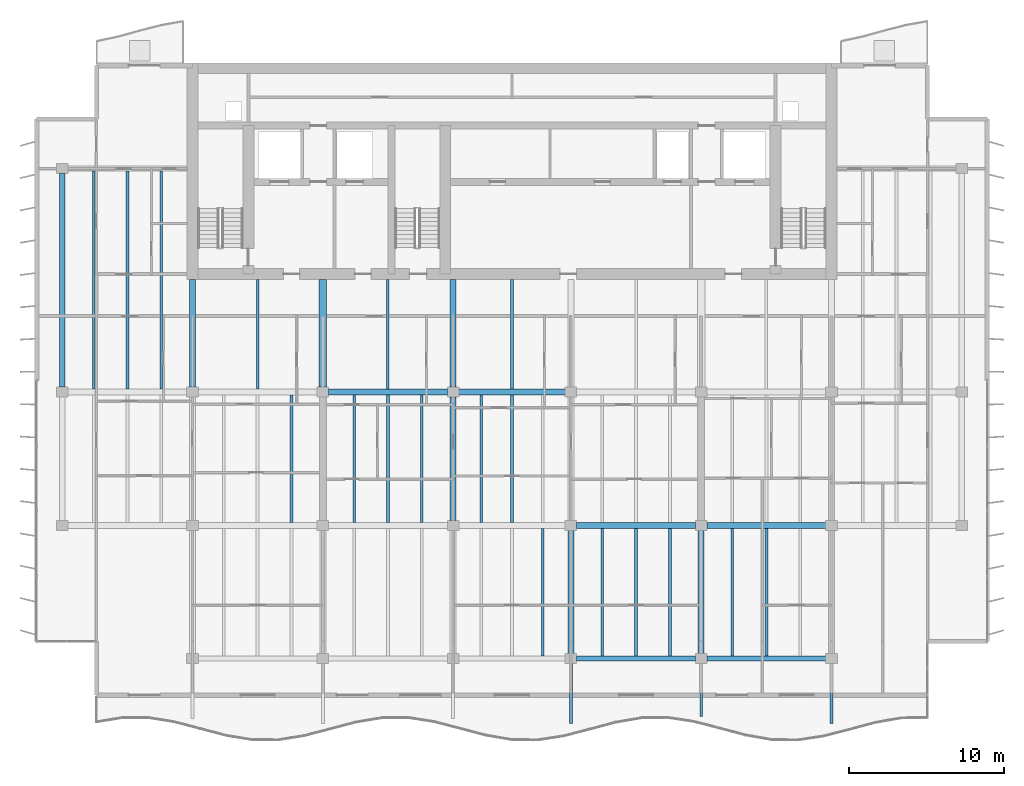
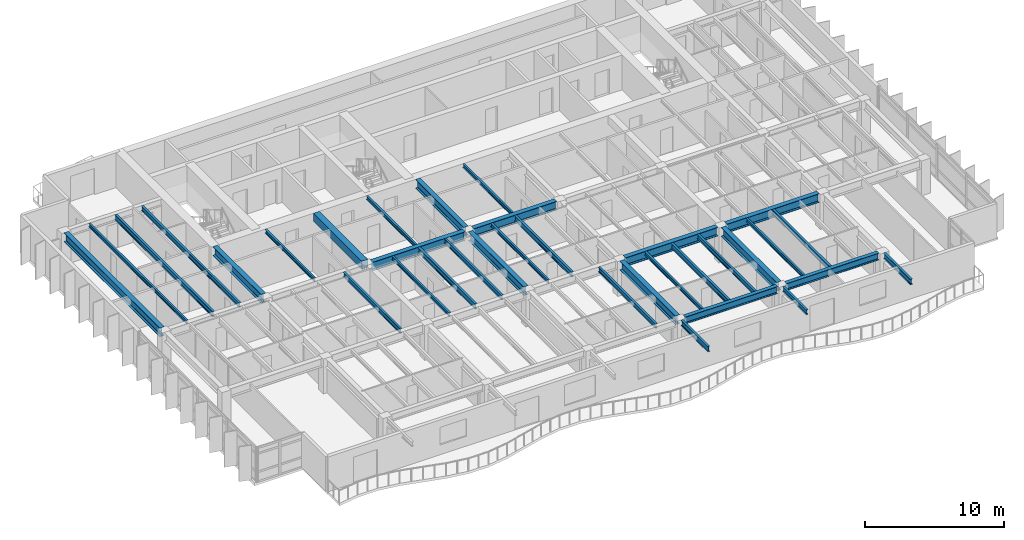
# One storey, part 3 of 17: 34 beams.
"""IFC4 building model written with IfcOpenShell, lengths in metres."""

from ifc_helpers import new_model, si_unit, direction, frame, origin, origin_2d, place, context, subcontext, project, spatial, rectangle, i_section, extrude, material, material_profile, profile_set, type_object, element, save


model = new_model("IFC4")

# Units and contexts
model_context = context("Model", 3, precision=1e-05, world=origin(), true_north=direction((0.0, 1.0)))
body_context = subcontext(model_context, "Body", "Model", "MODEL_VIEW")
ifc_project = project(units=[si_unit("LENGTHUNIT", "METRE"), si_unit("AREAUNIT", "SQUARE_METRE"), si_unit("VOLUMEUNIT", "CUBIC_METRE"), si_unit("PLANEANGLEUNIT", "RADIAN"), si_unit("MASSUNIT", "GRAM", prefix="KILO")], contexts=[model_context])

# Site, building, storey
site_placement = place(None, origin())
site = spatial("IfcSite", under=ifc_project, at=site_placement, CompositionType="ELEMENT")
building_placement = place(site_placement, origin())
building = spatial("IfcBuilding", under=site, at=building_placement, Name="Caelmar Bay Residences", CompositionType="ELEMENT")
storey_placement = place(building_placement, frame((0.0, 0.0, 259.5)))
storey = spatial("IfcBuildingStorey", under=building, at=storey_placement, Name="L73", CompositionType="ELEMENT", Elevation=259.5)

# Beams
ifc_material_1 = material(Name="Steel ASTM A992 Grade 50", Category="steel")
ifc_material_profile_1 = material_profile(ifc_material_1, i_section(OverallWidth=0.177978515625, OverallDepth=0.406005859375, WebThickness=0.0078125, FlangeThickness=0.0126953125, FilletRadius=0.0087890625, at=origin_2d()), Name="W16X40")
ifc_profile_set_1 = profile_set([ifc_material_profile_1], Name="Steel ASTM A992 Grade 50")
beam_type_1 = type_object("IfcBeamType", Name="BM-BAL-W16X40", PredefinedType="JOIST", material=ifc_profile_set_1)
for number, where, z_axis, x_axis, name in (
    (1, (40.8759765625, 12.362548828125, 2.846923828125), (0.0, 1.0, 0.0), (-1.0, 0.0, 0.0), "L73 Composite Floor Joist 9"),
    (2, (49.083984375, 12.362548828125, 2.846923828125), (0.0, 1.0, 0.0), (-1.0, 0.0, 0.0), "L73 Composite Floor Joist 12"),
):
    element("IfcBeam", number, at=place(storey_placement, frame(where, z_axis=z_axis, x_axis=x_axis)), inside=storey, type_object=beam_type_1, Name=name, PredefinedType="JOIST", context=body_context, shape_type="SweptSolid", body=[
        extrude(i_section(OverallWidth=0.177978515625, OverallDepth=0.406005859375, WebThickness=0.0078125, FlangeThickness=0.0126953125, FilletRadius=0.0087890625, at=origin_2d()), origin(), (0.0, 0.0, 1.0), 8.2470703125),
    ])
for number, where, z_axis, x_axis, name in (
    (3, (24.68408203125, 20.990478515625, 2.846923828125), (0.0, 1.0, 0.0), (-1.0, 0.0, 0.0), "L73 Composite Floor Joist 21"),
    (4, (33.083984375, 20.990478515625, 2.846923828125), (0.0, 1.0, 0.0), (-1.0, 0.0, 0.0), "L73 Composite Floor Joist 24"),
):
    element("IfcBeam", number, at=place(storey_placement, frame(where, z_axis=z_axis, x_axis=x_axis)), inside=storey, type_object=beam_type_1, Name=name, PredefinedType="JOIST", context=body_context, shape_type="SweptSolid", body=[
        extrude(i_section(OverallWidth=0.177978515625, OverallDepth=0.406005859375, WebThickness=0.0078125, FlangeThickness=0.0126953125, FilletRadius=0.0087890625, at=origin_2d()), origin(), (0.0, 0.0, 1.0), 8.218994140625),
    ])
beam_1_placement = place(storey_placement, frame((16.283935546875, 29.590576171875, 2.846923828125), z_axis=(0.0, 1.0, 0.0), x_axis=(-1.0, 0.0, 0.0)))
element("IfcBeam", 5, at=beam_1_placement, inside=storey, type_object=beam_type_1, Name="L73 Composite Floor Joist 44", PredefinedType="JOIST", context=body_context, shape_type="SweptSolid", body=[
    extrude(i_section(OverallWidth=0.177978515625, OverallDepth=0.406005859375, WebThickness=0.0078125, FlangeThickness=0.0126953125, FilletRadius=0.0087890625, at=origin_2d()), origin(), (0.0, 0.0, 1.0), 14.046875),
])
beam_2_placement = place(storey_placement, frame((51.10009765625, 11.885009765625, 2.846923828125), z_axis=(0.0, -1.0, 0.0), x_axis=(1.0, 0.0, 0.0)))
element("IfcBeam", 6, at=beam_2_placement, inside=storey, type_object=beam_type_1, Name="L74 South Balcony Cantilever Bracket 5", PredefinedType="JOIST", context=body_context, shape_type="SweptSolid", body=[
    extrude(i_section(OverallWidth=0.177978515625, OverallDepth=0.406005859375, WebThickness=0.0078125, FlangeThickness=0.0126953125, FilletRadius=0.0087890625, at=origin_2d()), origin(), (0.0, 0.0, 1.0), 3.42919921875),
])
ifc_material_profile_2 = material_profile(ifc_material_1, i_section(OverallWidth=0.193115234375, OverallDepth=0.467041015625, WebThickness=0.011474609375, FlangeThickness=0.01904296875, FilletRadius=0.01025390625, at=origin_2d()), Name="W18X65")
ifc_profile_set_2 = profile_set([ifc_material_profile_2], Name="Steel ASTM A992 Grade 50")
beam_type_2 = type_object("IfcBeamType", Name="BM-BAL-W18X65", PredefinedType="BEAM", material=ifc_profile_set_2)
for number, where, z_axis, x_axis, name in (
    (7, (42.699951171875, 11.885009765625, 2.81640625), (0.0, -1.0, 0.0), (1.0, 0.0, 0.0), "L74 South Balcony Cantilever Bracket 4"),
    (8, (59.5, 11.885009765625, 2.81640625), (0.0, -1.0, 0.0), (1.0, 0.0, 0.0), "L74 South Balcony Cantilever Bracket 6"),
):
    element("IfcBeam", number, at=place(storey_placement, frame(where, z_axis=z_axis, x_axis=x_axis)), inside=storey, type_object=beam_type_2, Name=name, PredefinedType="BEAM", context=body_context, shape_type="SweptSolid", body=[
        extrude(i_section(OverallWidth=0.193115234375, OverallDepth=0.467041015625, WebThickness=0.011474609375, FlangeThickness=0.01904296875, FilletRadius=0.01025390625, at=origin_2d()), origin(), (0.0, 0.0, 1.0), 3.85009765625),
    ])
ifc_material_profile_3 = material_profile(ifc_material_1, i_section(OverallWidth=0.381103515625, OverallDepth=0.77197265625, WebThickness=0.0166015625, FlangeThickness=0.027099609375, FilletRadius=0.0166015625, at=origin_2d()), Name="W30X173")
ifc_profile_set_3 = profile_set([ifc_material_profile_3], Name="Steel ASTM A992 Grade 50")
beam_type_3 = type_object("IfcBeamType", Name="BM-GRD-W30X173", PredefinedType="BEAM", material=ifc_profile_set_3)
beam_3_placement = place(storey_placement, frame((43.06494140625, 20.800048828125, 2.6640625), z_axis=(1.0, 0.0, 0.0), x_axis=(0.0, 1.0, 0.0)))
element("IfcBeam", 9, at=beam_3_placement, inside=storey, type_object=beam_type_3, Name="L73 East-West Girder Y=20.80 (42.7-51.1)", PredefinedType="BEAM", context=body_context, shape_type="SweptSolid", body=[
    extrude(i_section(OverallWidth=0.381103515625, OverallDepth=0.77197265625, WebThickness=0.0166015625, FlangeThickness=0.027099609375, FilletRadius=0.0166015625, at=origin_2d()), origin(), (0.0, 0.0, 1.0), 7.670166015625),
])
beam_4_placement = place(storey_placement, frame((51.465087890625, 20.800048828125, 2.6640625), z_axis=(1.0, 0.0, 0.0), x_axis=(0.0, 1.0, 0.0)))
element("IfcBeam", 10, at=beam_4_placement, inside=storey, type_object=beam_type_3, Name="L73 East-West Girder Y=20.80 (51.1-59.5)", PredefinedType="BEAM", context=body_context, shape_type="SweptSolid", body=[
    extrude(i_section(OverallWidth=0.381103515625, OverallDepth=0.77197265625, WebThickness=0.0166015625, FlangeThickness=0.027099609375, FilletRadius=0.0166015625, at=origin_2d()), origin(), (0.0, 0.0, 1.0), 7.669921875),
])
beam_5_placement = place(storey_placement, frame((27.06494140625, 29.39990234375, 2.6640625), z_axis=(1.0, 0.0, 0.0), x_axis=(0.0, 1.0, 0.0)))
element("IfcBeam", 11, at=beam_5_placement, inside=storey, type_object=beam_type_3, Name="L73 East-West Girder Y=29.40 (26.7-35.1)", PredefinedType="BEAM", context=body_context, shape_type="SweptSolid", body=[
    extrude(i_section(OverallWidth=0.381103515625, OverallDepth=0.77197265625, WebThickness=0.0166015625, FlangeThickness=0.027099609375, FilletRadius=0.0166015625, at=origin_2d()), origin(), (0.0, 0.0, 1.0), 7.670166015625),
])
beam_6_placement = place(storey_placement, frame((35.465087890625, 29.39990234375, 2.6640625), z_axis=(1.0, 0.0, 0.0), x_axis=(0.0, 1.0, 0.0)))
element("IfcBeam", 12, at=beam_6_placement, inside=storey, type_object=beam_type_3, Name="L73 East-West Girder Y=29.40 (35.1-42.7)", PredefinedType="BEAM", context=body_context, shape_type="SweptSolid", body=[
    extrude(i_section(OverallWidth=0.381103515625, OverallDepth=0.77197265625, WebThickness=0.0166015625, FlangeThickness=0.027099609375, FilletRadius=0.0166015625, at=origin_2d()), origin(), (0.0, 0.0, 1.0), 6.869873046875),
])
beam_7_placement = place(storey_placement, frame((9.89990234375, 29.715087890625, 2.6640625), z_axis=(0.0, 1.0, 0.0), x_axis=(-1.0, 0.0, 0.0)))
element("IfcBeam", 13, at=beam_7_placement, inside=storey, type_object=beam_type_3, Name="L73 North-South Girder X=9.90 (29.4-43.8)", PredefinedType="BEAM", context=body_context, shape_type="SweptSolid", body=[
    extrude(i_section(OverallWidth=0.381103515625, OverallDepth=0.77197265625, WebThickness=0.0166015625, FlangeThickness=0.027099609375, FilletRadius=0.0166015625, at=origin_2d()), origin(), (0.0, 0.0, 1.0), 13.77001953125),
])
for number, where, z_axis, x_axis, name in (
    (14, (18.300048828125, 29.715087890625, 2.6640625), (0.0, 1.0, 0.0), (-1.0, 0.0, 0.0), "L73 Core Tie Girder X=18.30"),
    (15, (35.10009765625, 29.715087890625, 2.6640625), (0.0, 1.0, 0.0), (-1.0, 0.0, 0.0), "L73 Core Tie Girder X=35.10"),
):
    element("IfcBeam", number, at=place(storey_placement, frame(where, z_axis=z_axis, x_axis=x_axis)), inside=storey, type_object=beam_type_3, Name=name, PredefinedType="BEAM", context=body_context, shape_type="SweptSolid", body=[
        extrude(i_section(OverallWidth=0.381103515625, OverallDepth=0.77197265625, WebThickness=0.0166015625, FlangeThickness=0.027099609375, FilletRadius=0.0166015625, at=origin_2d()), origin(), (0.0, 0.0, 1.0), 6.934814453125),
    ])
beam_8_placement = place(storey_placement, frame((35.10009765625, 21.114990234375, 2.6640625), z_axis=(0.0, 1.0, 0.0), x_axis=(-1.0, 0.0, 0.0)))
element("IfcBeam", 16, at=beam_8_placement, inside=storey, type_object=beam_type_3, Name="L73 North-South Girder X=35.10 (20.8-29.4)", PredefinedType="BEAM", context=body_context, shape_type="SweptSolid", body=[
    extrude(i_section(OverallWidth=0.381103515625, OverallDepth=0.77197265625, WebThickness=0.0166015625, FlangeThickness=0.027099609375, FilletRadius=0.0166015625, at=origin_2d()), origin(), (0.0, 0.0, 1.0), 7.969970703125),
])
for number, where, z_axis, x_axis, name in (
    (17, (42.699951171875, 12.514892578125, 2.6640625), (0.0, 1.0, 0.0), (-1.0, 0.0, 0.0), "L73 North-South Girder X=42.70 (12.2-20.8)"),
    (18, (51.10009765625, 12.514892578125, 2.6640625), (0.0, 1.0, 0.0), (-1.0, 0.0, 0.0), "L73 North-South Girder X=51.10 (12.2-20.8)"),
):
    element("IfcBeam", number, at=place(storey_placement, frame(where, z_axis=z_axis, x_axis=x_axis)), inside=storey, type_object=beam_type_3, Name=name, PredefinedType="BEAM", context=body_context, shape_type="SweptSolid", body=[
        extrude(i_section(OverallWidth=0.381103515625, OverallDepth=0.77197265625, WebThickness=0.0166015625, FlangeThickness=0.027099609375, FilletRadius=0.0166015625, at=origin_2d()), origin(), (0.0, 0.0, 1.0), 7.97021484375),
    ])
ifc_material_profile_4 = material_profile(ifc_material_1, i_section(OverallWidth=0.1650390625, OverallDepth=0.31005859375, WebThickness=0.005859375, FlangeThickness=0.009765625, FilletRadius=0.007568359375, at=origin_2d()), Name="W12X26")
ifc_profile_set_4 = profile_set([ifc_material_profile_4], Name="Steel ASTM A992 Grade 50")
beam_type_4 = type_object("IfcBeamType", Name="BM-JST-W12X26", PredefinedType="JOIST", material=ifc_profile_set_4)
for number, where, z_axis, x_axis, name in (
    (19, (44.716064453125, 12.362548828125, 2.89501953125), (0.0, 1.0, 0.0), (-1.0, 0.0, 0.0), "L73 Composite Floor Joist 10"),
    (20, (53.115966796875, 12.362548828125, 2.89501953125), (0.0, 1.0, 0.0), (-1.0, 0.0, 0.0), "L73 Composite Floor Joist 13"),
):
    element("IfcBeam", number, at=place(storey_placement, frame(where, z_axis=z_axis, x_axis=x_axis)), inside=storey, type_object=beam_type_4, Name=name, PredefinedType="JOIST", context=body_context, shape_type="SweptSolid", body=[
        extrude(i_section(OverallWidth=0.1650390625, OverallDepth=0.31005859375, WebThickness=0.005859375, FlangeThickness=0.009765625, FilletRadius=0.007568359375, at=origin_2d()), origin(), (0.0, 0.0, 1.0), 8.2470703125),
    ])
for number, where, z_axis, x_axis, name in (
    (21, (28.716064453125, 20.990478515625, 2.89501953125), (0.0, 1.0, 0.0), (-1.0, 0.0, 0.0), "L73 Composite Floor Joist 22"),
    (22, (36.924072265625, 20.990478515625, 2.89501953125), (0.0, 1.0, 0.0), (-1.0, 0.0, 0.0), "L73 Composite Floor Joist 25"),
):
    element("IfcBeam", number, at=place(storey_placement, frame(where, z_axis=z_axis, x_axis=x_axis)), inside=storey, type_object=beam_type_4, Name=name, PredefinedType="JOIST", context=body_context, shape_type="SweptSolid", body=[
        extrude(i_section(OverallWidth=0.1650390625, OverallDepth=0.31005859375, WebThickness=0.005859375, FlangeThickness=0.009765625, FilletRadius=0.007568359375, at=origin_2d()), origin(), (0.0, 0.0, 1.0), 8.218994140625),
    ])
for number, where, z_axis, x_axis, name in (
    (23, (22.5, 29.590576171875, 2.89501953125), (0.0, 1.0, 0.0), (-1.0, 0.0, 0.0), "L73 Core-Band Composite Joist 37"),
    (24, (30.89990234375, 29.590576171875, 2.89501953125), (0.0, 1.0, 0.0), (-1.0, 0.0, 0.0), "L73 Core-Band Composite Joist 38"),
    (25, (38.89990234375, 29.590576171875, 2.89501953125), (0.0, 1.0, 0.0), (-1.0, 0.0, 0.0), "L73 Core-Band Composite Joist 39"),
):
    element("IfcBeam", number, at=place(storey_placement, frame(where, z_axis=z_axis, x_axis=x_axis)), inside=storey, type_object=beam_type_4, Name=name, PredefinedType="JOIST", context=body_context, shape_type="SweptSolid", body=[
        extrude(i_section(OverallWidth=0.1650390625, OverallDepth=0.31005859375, WebThickness=0.005859375, FlangeThickness=0.009765625, FilletRadius=0.007568359375, at=origin_2d()), origin(), (0.0, 0.0, 1.0), 7.059326171875),
    ])
beam_9_placement = place(storey_placement, frame((11.916015625, 29.590576171875, 2.89501953125), z_axis=(0.0, 1.0, 0.0), x_axis=(-1.0, 0.0, 0.0)))
element("IfcBeam", 26, at=beam_9_placement, inside=storey, type_object=beam_type_4, Name="L73 Composite Floor Joist 42", PredefinedType="JOIST", context=body_context, shape_type="SweptSolid", body=[
    extrude(i_section(OverallWidth=0.1650390625, OverallDepth=0.31005859375, WebThickness=0.005859375, FlangeThickness=0.009765625, FilletRadius=0.007568359375, at=origin_2d()), origin(), (0.0, 0.0, 1.0), 14.046875),
])
ifc_material_profile_5 = material_profile(ifc_material_1, i_section(OverallWidth=0.19091796875, OverallDepth=0.45703125, WebThickness=0.009033203125, FlangeThickness=0.014404296875, FilletRadius=0.01025390625, at=origin_2d()), Name="W18X50")
ifc_profile_set_5 = profile_set([ifc_material_profile_5], Name="Steel ASTM A992 Grade 50")
beam_type_5 = type_object("IfcBeamType", Name="BM-JST-W18X50", PredefinedType="JOIST", material=ifc_profile_set_5)
for number, where, z_axis, x_axis, name in (
    (27, (46.89990234375, 12.362548828125, 2.821533203125), (0.0, 1.0, 0.0), (-1.0, 0.0, 0.0), "L73 Composite Floor Joist 11"),
    (28, (55.300048828125, 12.362548828125, 2.821533203125), (0.0, 1.0, 0.0), (-1.0, 0.0, 0.0), "L73 Composite Floor Joist 14"),
):
    element("IfcBeam", number, at=place(storey_placement, frame(where, z_axis=z_axis, x_axis=x_axis)), inside=storey, type_object=beam_type_5, Name=name, PredefinedType="JOIST", context=body_context, shape_type="SweptSolid", body=[
        extrude(i_section(OverallWidth=0.19091796875, OverallDepth=0.45703125, WebThickness=0.009033203125, FlangeThickness=0.014404296875, FilletRadius=0.01025390625, at=origin_2d()), origin(), (0.0, 0.0, 1.0), 8.2470703125),
    ])
for number, where, z_axis, x_axis, name in (
    (29, (30.89990234375, 20.990478515625, 2.821533203125), (0.0, 1.0, 0.0), (-1.0, 0.0, 0.0), "L73 Composite Floor Joist 23"),
    (30, (38.89990234375, 20.990478515625, 2.821533203125), (0.0, 1.0, 0.0), (-1.0, 0.0, 0.0), "L73 Composite Floor Joist 26"),
):
    element("IfcBeam", number, at=place(storey_placement, frame(where, z_axis=z_axis, x_axis=x_axis)), inside=storey, type_object=beam_type_5, Name=name, PredefinedType="JOIST", context=body_context, shape_type="SweptSolid", body=[
        extrude(i_section(OverallWidth=0.19091796875, OverallDepth=0.45703125, WebThickness=0.009033203125, FlangeThickness=0.014404296875, FilletRadius=0.01025390625, at=origin_2d()), origin(), (0.0, 0.0, 1.0), 8.218994140625),
    ])
beam_10_placement = place(storey_placement, frame((14.10009765625, 29.590576171875, 2.821533203125), z_axis=(0.0, 1.0, 0.0), x_axis=(-1.0, 0.0, 0.0)))
element("IfcBeam", 31, at=beam_10_placement, inside=storey, type_object=beam_type_5, Name="L73 Composite Floor Joist 43", PredefinedType="JOIST", context=body_context, shape_type="SweptSolid", body=[
    extrude(i_section(OverallWidth=0.19091796875, OverallDepth=0.45703125, WebThickness=0.009033203125, FlangeThickness=0.014404296875, FilletRadius=0.01025390625, at=origin_2d()), origin(), (0.0, 0.0, 1.0), 14.046875),
])
ifc_material_2 = material(Name="Concrete f'c 55 MPa (8,000 psi)", Category="concrete")
ifc_material_profile_6 = material_profile(ifc_material_2, rectangle(XDim=0.5, YDim=0.699951171875, at=origin_2d()), Name="RC-BM-500X700")
ifc_profile_set_6 = profile_set([ifc_material_profile_6], Name="Concrete f'c 55 MPa (8,000 psi)")
beam_type_6 = type_object("IfcBeamType", Name="BM-RC-500X700", PredefinedType="LINTEL", material=ifc_profile_set_6)
beam_11_placement = place(storey_placement, frame((26.699951171875, 29.715087890625, 2.699951171875), z_axis=(0.0, 1.0, 0.0), x_axis=(-1.0, 0.0, 0.0)))
element("IfcBeam", 32, at=beam_11_placement, inside=storey, type_object=beam_type_6, Name="L73 Shear-Wall Corridor Coupling Lintel W5", PredefinedType="LINTEL", context=body_context, shape_type="SweptSolid", body=[
    extrude(rectangle(XDim=0.5, YDim=0.699951171875, at=origin_2d()), origin(), (0.0, 0.0, 1.0), 6.934814453125),
])
ifc_material_profile_7 = material_profile(ifc_material_1, i_section(OverallWidth=0.324951171875, OverallDepth=0.616943359375, WebThickness=0.013916015625, FlangeThickness=0.021484375, FilletRadius=0.0126953125, at=origin_2d()), Name="W24X117")
ifc_profile_set_7 = profile_set([ifc_material_profile_7], Name="Steel ASTM A992 Grade 50")
beam_type_7 = type_object("IfcBeamType", Name="BM-SPN-W24X117", PredefinedType="SPANDREL", material=ifc_profile_set_7)
beam_12_placement = place(storey_placement, frame((43.06494140625, 12.199951171875, 2.741455078125), z_axis=(1.0, 0.0, 0.0), x_axis=(0.0, 1.0, 0.0)))
element("IfcBeam", 33, at=beam_12_placement, inside=storey, type_object=beam_type_7, Name="L73 East-West Girder Y=12.20 (42.7-51.1)", PredefinedType="SPANDREL", context=body_context, shape_type="SweptSolid", body=[
    extrude(i_section(OverallWidth=0.324951171875, OverallDepth=0.616943359375, WebThickness=0.013916015625, FlangeThickness=0.021484375, FilletRadius=0.0126953125, at=origin_2d()), origin(), (0.0, 0.0, 1.0), 7.670166015625),
])
beam_13_placement = place(storey_placement, frame((51.465087890625, 12.199951171875, 2.741455078125), z_axis=(1.0, 0.0, 0.0), x_axis=(0.0, 1.0, 0.0)))
element("IfcBeam", 34, at=beam_13_placement, inside=storey, type_object=beam_type_7, Name="L73 East-West Girder Y=12.20 (51.1-59.5)", PredefinedType="SPANDREL", context=body_context, shape_type="SweptSolid", body=[
    extrude(i_section(OverallWidth=0.324951171875, OverallDepth=0.616943359375, WebThickness=0.013916015625, FlangeThickness=0.021484375, FilletRadius=0.0126953125, at=origin_2d()), origin(), (0.0, 0.0, 1.0), 7.669921875),
])

save(model, "model.ifc")
